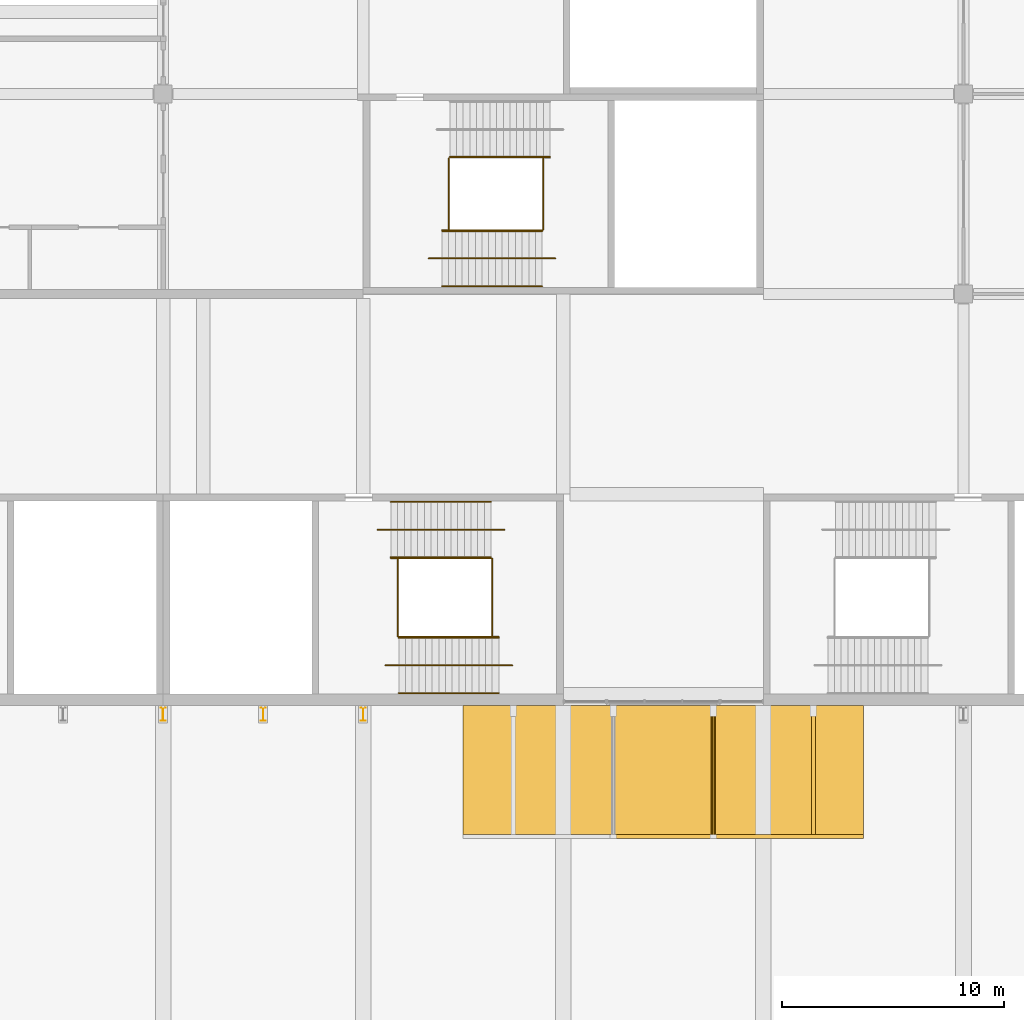
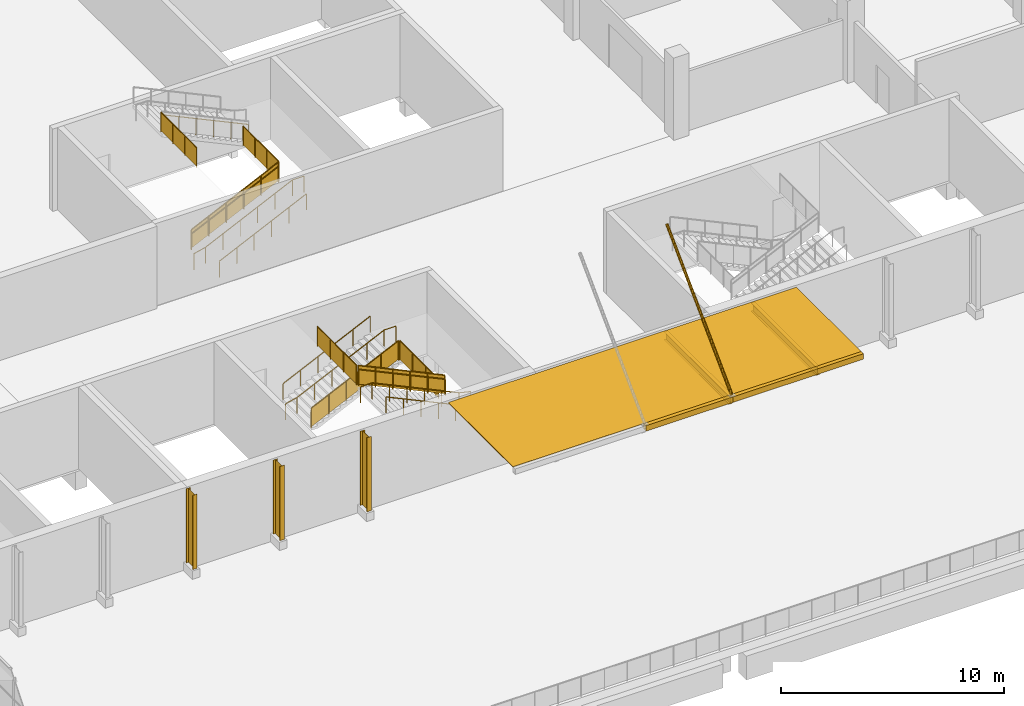
# One storey, part 151 of 168: 17 railings, 9 shading devices.
"""IFC4 building model written with IfcOpenShell, lengths in metres."""

from ifc_helpers import new_model, si_unit, direction, frame, origin, origin_2d, place, context, subcontext, project, spatial, polyline, rectangle, hollow_rectangle, circle, hollow_circle, i_section, outline, extrude, material, material_profile, profile_set, type_object, element, save


model = new_model("IFC4")

# Units and contexts
model_context = context("Model", 3, precision=1e-05, world=origin(), true_north=direction((0.0, 1.0)))
body_context = subcontext(model_context, "Body", "Model", "MODEL_VIEW")
ifc_project = project(units=[si_unit("LENGTHUNIT", "METRE"), si_unit("AREAUNIT", "SQUARE_METRE"), si_unit("VOLUMEUNIT", "CUBIC_METRE"), si_unit("PLANEANGLEUNIT", "RADIAN"), si_unit("MASSUNIT", "GRAM", prefix="KILO")], contexts=[model_context])

# Site, building, storey
site_placement = place(None, origin())
site = spatial("IfcSite", under=ifc_project, at=site_placement, CompositionType="ELEMENT")
building_placement = place(site_placement, origin())
building = spatial("IfcBuilding", under=site, at=building_placement, Name="Silverbay Arena", CompositionType="ELEMENT")
storey_placement = place(building_placement, frame((0.0, 0.0, 7.0)))
storey = spatial("IfcBuildingStorey", under=building, at=storey_placement, Name="L01", CompositionType="ELEMENT", Elevation=7.0)

# Shading devices
ifc_material_1 = material(Name="Steel S355", Category="steel")
shading_device_type_1 = type_object("IfcShadingDeviceType", Name="Entrance marquee 6000 x 18000", PredefinedType="AWNING", material=ifc_material_1)
shading_device_1_placement = place(storey_placement, frame((184.5, 14.60009765625, 4.353271484375), z_axis=(0.0, 0.0, 1.0), x_axis=(1.0, 0.0, 0.0)))
element("IfcShadingDevice", 1, at=shading_device_1_placement, inside=storey, type_object=shading_device_type_1, Name="South entrance marquee L01 bay 18", PredefinedType="AWNING", context=body_context, shape_type="SweptSolid", body=[
    extrude(rectangle(XDim=18.0, YDim=5.800048828125, at=origin_2d()), origin(), (0.0, 0.0, 1.0), 0.0400390625),
])
ifc_material_2 = material(Name="Steel S355", Category="steel")
ifc_material_profile_1 = material_profile(ifc_material_2, i_section(OverallWidth=0.18994140625, OverallDepth=0.453369140625, WebThickness=0.008544921875, FlangeThickness=0.0126953125, at=origin_2d()), Name="UB 457x191x67")
ifc_profile_set_1 = profile_set([ifc_material_profile_1], Name="Steel S355")
shading_device_type_2 = type_object("IfcShadingDeviceType", Name="Marquee cantilever beam UB 457x191x67", PredefinedType="USERDEFINED", material=ifc_profile_set_1)
for number, where, z_axis, x_axis, name in (
    (2, (186.75, 17.5, 4.126708984375), (0.0, -1.0, 0.0), (1.0, 0.0, 0.0), "South marquee beam L01 bay 18.3"),
    (3, (191.25, 17.5, 4.126708984375), (0.0, -1.0, 0.0), (1.0, 0.0, 0.0), "South marquee beam L01 bay 18.4"),
):
    element("IfcShadingDevice", number, at=place(storey_placement, frame(where, z_axis=z_axis, x_axis=x_axis)), inside=storey, type_object=shading_device_type_2, Name=name, ObjectType="MARQUEE FRAME", PredefinedType="USERDEFINED", context=body_context, shape_type="SweptSolid", body=[
        extrude(i_section(OverallWidth=0.18994140625, OverallDepth=0.453369140625, WebThickness=0.008544921875, FlangeThickness=0.0126953125, at=origin_2d()), origin(), (0.0, 0.0, 1.0), 5.800048828125),
    ])
ifc_material_3 = material(Name="Steel S355", Category="steel")
ifc_material_profile_2 = material_profile(ifc_material_3, hollow_rectangle(XDim=0.199951171875, YDim=0.300048828125, WallThickness=0.008056640625, at=origin_2d()), Name="RHS 300x200x8")
ifc_profile_set_2 = profile_set([ifc_material_profile_2], Name="Steel S355")
shading_device_type_3 = type_object("IfcShadingDeviceType", Name="Marquee edge beam RHS 300x200x8", PredefinedType="USERDEFINED", material=ifc_profile_set_2)
shading_device_2_placement = place(storey_placement, frame((182.25, 11.60009765625, 4.243408203125), z_axis=(1.0, 0.0, 0.0), x_axis=(0.0, 1.0, 0.0)))
element("IfcShadingDevice", 4, at=shading_device_2_placement, inside=storey, type_object=shading_device_type_3, Name="South marquee edge beam L01 bay 18.2", ObjectType="MARQUEE FRAME", PredefinedType="USERDEFINED", context=body_context, shape_type="SweptSolid", body=[
    extrude(hollow_rectangle(XDim=0.199951171875, YDim=0.300048828125, WallThickness=0.008056640625, at=origin_2d()), origin(), (0.0, 0.0, 1.0), 4.5),
])
shading_device_3_placement = place(storey_placement, frame((186.75, 11.60009765625, 4.243408203125), z_axis=(1.0, 0.0, 0.0), x_axis=(0.0, 1.0, 0.0)))
element("IfcShadingDevice", 5, at=shading_device_3_placement, inside=storey, type_object=shading_device_type_3, Name="South marquee edge beam L01 bay 18.3", ObjectType="MARQUEE FRAME", PredefinedType="USERDEFINED", context=body_context, shape_type="SweptSolid", body=[
    extrude(hollow_rectangle(XDim=0.199951171875, YDim=0.300048828125, WallThickness=0.008056640625, at=origin_2d()), origin(), (0.0, 0.0, 1.0), 6.75),
])
ifc_material_4 = material(Name="Steel S355", Category="steel")
ifc_material_profile_3 = material_profile(ifc_material_4, hollow_circle(Radius=0.06982421875, WallThickness=0.008056640625, at=origin_2d()), Name="CHS 139.7x8")
ifc_profile_set_3 = profile_set([ifc_material_profile_3], Name="Steel S355")
shading_device_type_4 = type_object("IfcShadingDeviceType", Name="Marquee tie CHS 139.7x8", PredefinedType="USERDEFINED", material=ifc_profile_set_3)
shading_device_4_placement = place(storey_placement, frame((186.75, 11.60009765625, 4.443359375), z_axis=(0.0, 0.707091949838, 0.707121612224), x_axis=(-1.0, 0.0, 0.0)))
element("IfcShadingDevice", 6, at=shading_device_4_placement, inside=storey, type_object=shading_device_type_4, Name="South marquee tie 2", ObjectType="MARQUEE FRAME", PredefinedType="USERDEFINED", context=body_context, shape_type="SweptSolid", body=[
    extrude(hollow_circle(Radius=0.06982421875, WallThickness=0.008056640625, at=origin_2d()), origin(), (0.0, 0.0, 1.0), 8.230712890625),
])

# Railings
ifc_material_5 = material(Name="Stainless steel", Category="steel")
railing_type_1 = type_object("IfcRailingType", Name="Stair guard 1100", PredefinedType="GUARDRAIL", material=ifc_material_5)
railing_1_placement = place(storey_placement, frame((172.24658203125, 24.125, 0.140625)))
element("IfcRailing", 7, at=railing_1_placement, inside=storey, type_object=railing_type_1, Name="Stair ST-S4 L01 to L02 flight 1 guard right", PredefinedType="GUARDRAIL", context=body_context, shape_type="SweptSolid", body=[
    extrude(circle(Radius=0.02392578125, at=origin_2d()), frame((0.0, 0.0, 1.076171875), z_axis=(0.905458935959, 0.0, 0.424433876231), x_axis=(0.0, 1.0, 0.0)), (0.0, 0.0, 1.0), 4.969970703125),
    extrude(outline(polyline([(-0.008056640625, 0.046142578125), (0.907958984375, 0.4755859375), (0.907958984375, 1.478515625), (-0.008056640625, 1.04931640625), (-0.008056640625, 0.046142578125)])), frame((0.0, 0.0029296875, 0.0), z_axis=(0.0, -1.0, 0.0), x_axis=(1.0, 0.0, 0.0)), (0.0, 0.0, 1.0), 0.006103515625),
    extrude(outline(polyline([(-0.008056640625, 0.468017578125), (0.907958984375, 0.8974609375), (0.907958984375, 1.900390625), (-0.008056640625, 1.47119140625), (-0.008056640625, 0.468017578125)])), frame((0.89990234375, 0.0029296875, 0.0), z_axis=(0.0, -1.0, 0.0), x_axis=(1.0, 0.0, 0.0)), (0.0, 0.0, 1.0), 0.006103515625),
    extrude(outline(polyline([(-0.008056640625, 0.889892578125), (0.907958984375, 1.3193359375), (0.907958984375, 2.322265625), (-0.008056640625, 1.89306640625), (-0.008056640625, 0.889892578125)])), frame((1.800048828125, 0.0029296875, 0.0), z_axis=(0.0, -1.0, 0.0), x_axis=(1.0, 0.0, 0.0)), (0.0, 0.0, 1.0), 0.006103515625),
    extrude(outline(polyline([(-0.008056640625, 1.311767578125), (0.907958984375, 1.7412109375), (0.907958984375, 2.744140625), (-0.008056640625, 2.31494140625), (-0.008056640625, 1.311767578125)])), frame((2.699951171875, 0.0029296875, 0.0), z_axis=(0.0, -1.0, 0.0), x_axis=(1.0, 0.0, 0.0)), (0.0, 0.0, 1.0), 0.006103515625),
    extrude(outline(polyline([(-0.008056640625, 1.733642578125), (0.907958984375, 2.1630859375), (0.907958984375, 3.166015625), (-0.008056640625, 2.73681640625), (-0.008056640625, 1.733642578125)])), frame((3.60009765625, 0.0029296875, 0.0), z_axis=(0.0, -1.0, 0.0), x_axis=(1.0, 0.0, 0.0)), (0.0, 0.0, 1.0), 0.006103515625),
    extrude(circle(Radius=0.02099609375, at=origin_2d()), origin(), (0.0, 0.0, 1.0), 1.052001953125),
    extrude(circle(Radius=0.02099609375, at=origin_2d()), frame((0.89990234375, 0.0, 0.421875)), (0.0, 0.0, 1.0), 1.052001953125),
    extrude(circle(Radius=0.02099609375, at=origin_2d()), frame((1.800048828125, 0.0, 0.84375)), (0.0, 0.0, 1.0), 1.052001953125),
    extrude(circle(Radius=0.02099609375, at=origin_2d()), frame((2.699951171875, 0.0, 1.265625)), (0.0, 0.0, 1.0), 1.052001953125),
    extrude(circle(Radius=0.02099609375, at=origin_2d()), frame((3.60009765625, 0.0, 1.6875)), (0.0, 0.0, 1.0), 1.052001953125),
    extrude(circle(Radius=0.02099609375, at=origin_2d()), frame((4.5, 0.0, 2.109375)), (0.0, 0.0, 1.0), 1.052001953125),
])
railing_2_placement = place(storey_placement, frame((177.10009765625, 20.574951171875, 2.390625)))
element("IfcRailing", 8, at=railing_2_placement, inside=storey, type_object=railing_type_1, Name="Stair ST-S4 L01 to L02 flight 2 guard left", PredefinedType="GUARDRAIL", context=body_context, shape_type="SweptSolid", body=[
    extrude(circle(Radius=0.02392578125, at=origin_2d()), frame((0.0, 0.0, 1.076171875), z_axis=(-0.905458935959, 0.0, 0.424433876231), x_axis=(0.0, -1.0, 0.0)), (0.0, 0.0, 1.0), 4.969970703125),
    extrude(outline(polyline([(-0.008056640625, 0.046142578125), (0.907958984375, 0.4755859375), (0.907958984375, 1.478515625), (-0.008056640625, 1.04931640625), (-0.008056640625, 0.046142578125)])), frame((0.0, -0.0029296875, 0.0), z_axis=(0.0, 1.0, 0.0), x_axis=(-1.0, 0.0, 0.0)), (0.0, 0.0, 1.0), 0.006103515625),
    extrude(outline(polyline([(-0.008056640625, 0.468017578125), (0.907958984375, 0.8974609375), (0.907958984375, 1.900390625), (-0.008056640625, 1.47119140625), (-0.008056640625, 0.468017578125)])), frame((-0.89990234375, -0.0029296875, 0.0), z_axis=(0.0, 1.0, 0.0), x_axis=(-1.0, 0.0, 0.0)), (0.0, 0.0, 1.0), 0.006103515625),
    extrude(outline(polyline([(-0.008056640625, 0.889892578125), (0.907958984375, 1.3193359375), (0.907958984375, 2.322265625), (-0.008056640625, 1.89306640625), (-0.008056640625, 0.889892578125)])), frame((-1.800048828125, -0.0029296875, 0.0), z_axis=(0.0, 1.0, 0.0), x_axis=(-1.0, 0.0, 0.0)), (0.0, 0.0, 1.0), 0.006103515625),
    extrude(outline(polyline([(-0.008056640625, 1.311767578125), (0.907958984375, 1.7412109375), (0.907958984375, 2.744140625), (-0.008056640625, 2.31494140625), (-0.008056640625, 1.311767578125)])), frame((-2.699951171875, -0.0029296875, 0.0), z_axis=(0.0, 1.0, 0.0), x_axis=(-1.0, 0.0, 0.0)), (0.0, 0.0, 1.0), 0.006103515625),
    extrude(outline(polyline([(-0.008056640625, 1.733642578125), (0.907958984375, 2.1630859375), (0.907958984375, 3.166015625), (-0.008056640625, 2.73681640625), (-0.008056640625, 1.733642578125)])), frame((-3.60009765625, -0.0029296875, 0.0), z_axis=(0.0, 1.0, 0.0), x_axis=(-1.0, 0.0, 0.0)), (0.0, 0.0, 1.0), 0.006103515625),
    extrude(circle(Radius=0.02099609375, at=origin_2d()), origin(), (0.0, 0.0, 1.0), 1.052001953125),
    extrude(circle(Radius=0.02099609375, at=origin_2d()), frame((-0.89990234375, 0.0, 0.421875)), (0.0, 0.0, 1.0), 1.052001953125),
    extrude(circle(Radius=0.02099609375, at=origin_2d()), frame((-1.800048828125, 0.0, 0.84375)), (0.0, 0.0, 1.0), 1.052001953125),
    extrude(circle(Radius=0.02099609375, at=origin_2d()), frame((-2.699951171875, 0.0, 1.265625)), (0.0, 0.0, 1.0), 1.052001953125),
    extrude(circle(Radius=0.02099609375, at=origin_2d()), frame((-3.60009765625, 0.0, 1.6875)), (0.0, 0.0, 1.0), 1.052001953125),
    extrude(circle(Radius=0.02099609375, at=origin_2d()), frame((-4.5, 0.0, 2.109375)), (0.0, 0.0, 1.0), 1.052001953125),
])
for number, where, name in (
    (9, (176.796630859375, 24.10009765625, 2.25), "Stair ST-S4 L01 to L02 landing 1 guard"),
    (10, (172.550048828125, 24.10009765625, 4.5), "Stair ST-S4 L01 to L02 landing 2 guard"),
):
    element("IfcRailing", number, at=place(storey_placement, frame(where)), inside=storey, type_object=railing_type_1, Name=name, PredefinedType="GUARDRAIL", context=body_context, shape_type="SweptSolid", body=[
        extrude(circle(Radius=0.02392578125, at=origin_2d()), frame((0.0, 0.0, 1.076171875), z_axis=(0.0, -1.0, 0.0), x_axis=(1.0, 0.0, 0.0)), (0.0, 0.0, 1.0), 3.5),
        extrude(outline(polyline([(-0.008056640625, 0.050048828125), (1.174560546875, 0.050048828125), (1.174560546875, 1.052978515625), (-0.008056640625, 1.052978515625), (-0.008056640625, 0.050048828125)])), frame((0.0029296875, 0.0, 0.0), z_axis=(-1.0, 0.0, 0.0), x_axis=(0.0, -1.0, 0.0)), (0.0, 0.0, 1.0), 0.006103515625),
        extrude(outline(polyline([(-0.008056640625, 0.050048828125), (1.174560546875, 0.050048828125), (1.174560546875, 1.052978515625), (-0.008056640625, 1.052978515625), (-0.008056640625, 0.050048828125)])), frame((0.0029296875, -1.166748046875, 0.0), z_axis=(-1.0, 0.0, 0.0), x_axis=(0.0, -1.0, 0.0)), (0.0, 0.0, 1.0), 0.006103515625),
        extrude(outline(polyline([(-0.008056640625, 0.050048828125), (1.174560546875, 0.050048828125), (1.174560546875, 1.052978515625), (-0.008056640625, 1.052978515625), (-0.008056640625, 0.050048828125)])), frame((0.0029296875, -2.333251953125, 0.0), z_axis=(-1.0, 0.0, 0.0), x_axis=(0.0, -1.0, 0.0)), (0.0, 0.0, 1.0), 0.006103515625),
        extrude(circle(Radius=0.02099609375, at=origin_2d()), origin(), (0.0, 0.0, 1.0), 1.052001953125),
        extrude(circle(Radius=0.02099609375, at=origin_2d()), frame((0.0, -1.166748046875, 0.0)), (0.0, 0.0, 1.0), 1.052001953125),
        extrude(circle(Radius=0.02099609375, at=origin_2d()), frame((0.0, -2.333251953125, 0.0)), (0.0, 0.0, 1.0), 1.052001953125),
        extrude(circle(Radius=0.02099609375, at=origin_2d()), frame((0.0, -3.5, 0.0)), (0.0, 0.0, 1.0), 1.052001953125),
    ])
railing_3_placement = place(storey_placement, frame((174.546630859375, 38.875, 0.140625)))
element("IfcRailing", 11, at=railing_3_placement, inside=storey, type_object=railing_type_1, Name="Stair ST-SE1 L01 to L02 flight 1 guard left", PredefinedType="GUARDRAIL", context=body_context, shape_type="SweptSolid", body=[
    extrude(circle(Radius=0.02392578125, at=origin_2d()), frame((0.0, 0.0, 1.076171875), z_axis=(0.905458935959, 0.0, 0.424433876231), x_axis=(0.0, 1.0, 0.0)), (0.0, 0.0, 1.0), 4.969970703125),
    extrude(outline(polyline([(-0.008056640625, 0.046142578125), (0.907958984375, 0.4755859375), (0.907958984375, 1.478515625), (-0.008056640625, 1.04931640625), (-0.008056640625, 0.046142578125)])), frame((0.0, 0.0029296875, 0.0), z_axis=(0.0, -1.0, 0.0), x_axis=(1.0, 0.0, 0.0)), (0.0, 0.0, 1.0), 0.006103515625),
    extrude(outline(polyline([(-0.008056640625, 0.468017578125), (0.907958984375, 0.8974609375), (0.907958984375, 1.900390625), (-0.008056640625, 1.47119140625), (-0.008056640625, 0.468017578125)])), frame((0.89990234375, 0.0029296875, 0.0), z_axis=(0.0, -1.0, 0.0), x_axis=(1.0, 0.0, 0.0)), (0.0, 0.0, 1.0), 0.006103515625),
    extrude(outline(polyline([(-0.008056640625, 0.889892578125), (0.907958984375, 1.3193359375), (0.907958984375, 2.322265625), (-0.008056640625, 1.89306640625), (-0.008056640625, 0.889892578125)])), frame((1.800048828125, 0.0029296875, 0.0), z_axis=(0.0, -1.0, 0.0), x_axis=(1.0, 0.0, 0.0)), (0.0, 0.0, 1.0), 0.006103515625),
    extrude(outline(polyline([(-0.008056640625, 1.311767578125), (0.907958984375, 1.7412109375), (0.907958984375, 2.744140625), (-0.008056640625, 2.31494140625), (-0.008056640625, 1.311767578125)])), frame((2.699951171875, 0.0029296875, 0.0), z_axis=(0.0, -1.0, 0.0), x_axis=(1.0, 0.0, 0.0)), (0.0, 0.0, 1.0), 0.006103515625),
    extrude(outline(polyline([(-0.008056640625, 1.733642578125), (0.907958984375, 2.1630859375), (0.907958984375, 3.166015625), (-0.008056640625, 2.73681640625), (-0.008056640625, 1.733642578125)])), frame((3.60009765625, 0.0029296875, 0.0), z_axis=(0.0, -1.0, 0.0), x_axis=(1.0, 0.0, 0.0)), (0.0, 0.0, 1.0), 0.006103515625),
    extrude(circle(Radius=0.02099609375, at=origin_2d()), origin(), (0.0, 0.0, 1.0), 1.052001953125),
    extrude(circle(Radius=0.02099609375, at=origin_2d()), frame((0.89990234375, 0.0, 0.421875)), (0.0, 0.0, 1.0), 1.052001953125),
    extrude(circle(Radius=0.02099609375, at=origin_2d()), frame((1.800048828125, 0.0, 0.84375)), (0.0, 0.0, 1.0), 1.052001953125),
    extrude(circle(Radius=0.02099609375, at=origin_2d()), frame((2.699951171875, 0.0, 1.265625)), (0.0, 0.0, 1.0), 1.052001953125),
    extrude(circle(Radius=0.02099609375, at=origin_2d()), frame((3.60009765625, 0.0, 1.6875)), (0.0, 0.0, 1.0), 1.052001953125),
    extrude(circle(Radius=0.02099609375, at=origin_2d()), frame((4.5, 0.0, 2.109375)), (0.0, 0.0, 1.0), 1.052001953125),
])
for number, where, name in (
    (12, (179.0966796875, 42.10009765625, 2.25), "Stair ST-SE1 L01 to L02 landing 1 guard"),
    (13, (174.85009765625, 42.10009765625, 4.5), "Stair ST-SE1 L01 to L02 landing 2 guard"),
):
    element("IfcRailing", number, at=place(storey_placement, frame(where)), inside=storey, type_object=railing_type_1, Name=name, PredefinedType="GUARDRAIL", context=body_context, shape_type="SweptSolid", body=[
        extrude(circle(Radius=0.02392578125, at=origin_2d()), frame((0.0, 0.0, 1.076171875), z_axis=(0.0, -1.0, 0.0), x_axis=(1.0, 0.0, 0.0)), (0.0, 0.0, 1.0), 3.2001953125),
        extrude(outline(polyline([(-0.008056640625, 0.050048828125), (1.07470703125, 0.050048828125), (1.07470703125, 1.052978515625), (-0.008056640625, 1.052978515625), (-0.008056640625, 0.050048828125)])), frame((0.0029296875, 0.0, 0.0), z_axis=(-1.0, 0.0, 0.0), x_axis=(0.0, -1.0, 0.0)), (0.0, 0.0, 1.0), 0.006103515625),
        extrude(outline(polyline([(-0.008056640625, 0.050048828125), (1.07470703125, 0.050048828125), (1.07470703125, 1.052978515625), (-0.008056640625, 1.052978515625), (-0.008056640625, 0.050048828125)])), frame((0.0029296875, -1.066650390625, 0.0), z_axis=(-1.0, 0.0, 0.0), x_axis=(0.0, -1.0, 0.0)), (0.0, 0.0, 1.0), 0.006103515625),
        extrude(outline(polyline([(-0.008056640625, 0.050048828125), (1.07470703125, 0.050048828125), (1.07470703125, 1.052978515625), (-0.008056640625, 1.052978515625), (-0.008056640625, 0.050048828125)])), frame((0.0029296875, -2.133544921875, 0.0), z_axis=(-1.0, 0.0, 0.0), x_axis=(0.0, -1.0, 0.0)), (0.0, 0.0, 1.0), 0.006103515625),
        extrude(circle(Radius=0.02099609375, at=origin_2d()), origin(), (0.0, 0.0, 1.0), 1.052001953125),
        extrude(circle(Radius=0.02099609375, at=origin_2d()), frame((0.0, -1.066650390625, 0.0)), (0.0, 0.0, 1.0), 1.052001953125),
        extrude(circle(Radius=0.02099609375, at=origin_2d()), frame((0.0, -2.133544921875, 0.0)), (0.0, 0.0, 1.0), 1.052001953125),
        extrude(circle(Radius=0.02099609375, at=origin_2d()), frame((0.0, -3.2001953125, 0.0)), (0.0, 0.0, 1.0), 1.052001953125),
    ])
ifc_material_6 = material(Name="Stainless steel", Category="steel")
railing_type_2 = type_object("IfcRailingType", Name="Stair handrail 900", PredefinedType="HANDRAIL", material=ifc_material_6)
for number, where, name in (
    (14, (172.24658203125, 26.64990234375, 0.140625), "Stair ST-S4 L01 to L02 flight 1 handrail left"),
    (15, (172.24658203125, 24.1640625, 0.140625), "Stair ST-S4 L01 to L02 flight 1 handrail right"),
):
    element("IfcRailing", number, at=place(storey_placement, frame(where)), inside=storey, type_object=railing_type_2, Name=name, PredefinedType="HANDRAIL", context=body_context, shape_type="SweptSolid", body=[
        extrude(circle(Radius=0.02392578125, at=origin_2d()), frame((0.0, 0.0, 0.8759765625), z_axis=(0.905458935959, 0.0, 0.424433876231), x_axis=(0.0, 1.0, 0.0)), (0.0, 0.0, 1.0), 4.969970703125),
        extrude(circle(Radius=0.02099609375, at=origin_2d()), origin(), (0.0, 0.0, 1.0), 0.851806640625),
        extrude(circle(Radius=0.02099609375, at=origin_2d()), frame((0.89990234375, 0.0, 0.421875)), (0.0, 0.0, 1.0), 0.851806640625),
        extrude(circle(Radius=0.02099609375, at=origin_2d()), frame((1.800048828125, 0.0, 0.84375)), (0.0, 0.0, 1.0), 0.851806640625),
        extrude(circle(Radius=0.02099609375, at=origin_2d()), frame((2.699951171875, 0.0, 1.265625)), (0.0, 0.0, 1.0), 0.851806640625),
        extrude(circle(Radius=0.02099609375, at=origin_2d()), frame((3.60009765625, 0.0, 1.6875)), (0.0, 0.0, 1.0), 0.851806640625),
        extrude(circle(Radius=0.02099609375, at=origin_2d()), frame((4.5, 0.0, 2.109375)), (0.0, 0.0, 1.0), 0.851806640625),
    ])
railing_4_placement = place(storey_placement, frame((171.646484375, 25.39990234375, 0.0)))
element("IfcRailing", 16, at=railing_4_placement, inside=storey, type_object=railing_type_2, Name="Stair ST-S4 L01 to L02 flight 1 central handrail", PredefinedType="HANDRAIL", context=body_context, shape_type="SweptSolid", body=[
    extrude(circle(Radius=0.02392578125, at=origin_2d()), frame((0.0, 0.0, 0.8759765625), z_axis=(0.973624560196, 0.0, 0.228156121511), x_axis=(0.0, 1.0, 0.0)), (0.0, 0.0, 1.0), 0.616455078125),
    extrude(circle(Radius=0.02392578125, at=origin_2d()), frame((0.60009765625, 0.0, 1.0166015625), z_axis=(0.905458935959, 0.0, 0.424433876231), x_axis=(0.0, 1.0, 0.0)), (0.0, 0.0, 1.0), 4.969970703125),
    extrude(circle(Radius=0.02392578125, at=origin_2d()), frame((5.10009765625, 0.0, 3.1259765625), z_axis=(1.0, 0.0, 0.0), x_axis=(0.0, 1.0, 0.0)), (0.0, 0.0, 1.0), 0.60009765625),
    extrude(circle(Radius=0.02099609375, at=origin_2d()), origin(), (0.0, 0.0, 1.0), 0.851806640625),
    extrude(circle(Radius=0.02099609375, at=origin_2d()), frame((0.60009765625, 0.0, 0.140625)), (0.0, 0.0, 1.0), 0.851806640625),
    extrude(circle(Radius=0.02099609375, at=origin_2d()), frame((1.5, 0.0, 0.5625)), (0.0, 0.0, 1.0), 0.851806640625),
    extrude(circle(Radius=0.02099609375, at=origin_2d()), frame((2.400146484375, 0.0, 0.984375)), (0.0, 0.0, 1.0), 0.851806640625),
    extrude(circle(Radius=0.02099609375, at=origin_2d()), frame((3.300048828125, 0.0, 1.40625)), (0.0, 0.0, 1.0), 0.851806640625),
    extrude(circle(Radius=0.02099609375, at=origin_2d()), frame((4.2001953125, 0.0, 1.828125)), (0.0, 0.0, 1.0), 0.851806640625),
    extrude(circle(Radius=0.02099609375, at=origin_2d()), frame((5.10009765625, 0.0, 2.25)), (0.0, 0.0, 1.0), 0.851806640625),
    extrude(circle(Radius=0.02099609375, at=origin_2d()), frame((5.7001953125, 0.0, 2.25)), (0.0, 0.0, 1.0), 0.851806640625),
])
for number, where, name in (
    (17, (177.10009765625, 20.535888671875, 2.390625), "Stair ST-S4 L01 to L02 flight 2 handrail left"),
    (18, (177.10009765625, 18.050048828125, 2.390625), "Stair ST-S4 L01 to L02 flight 2 handrail right"),
):
    element("IfcRailing", number, at=place(storey_placement, frame(where)), inside=storey, type_object=railing_type_2, Name=name, PredefinedType="HANDRAIL", context=body_context, shape_type="SweptSolid", body=[
        extrude(circle(Radius=0.02392578125, at=origin_2d()), frame((0.0, 0.0, 0.8759765625), z_axis=(-0.905458935959, 0.0, 0.424433876231), x_axis=(0.0, -1.0, 0.0)), (0.0, 0.0, 1.0), 4.969970703125),
        extrude(circle(Radius=0.02099609375, at=origin_2d()), origin(), (0.0, 0.0, 1.0), 0.851806640625),
        extrude(circle(Radius=0.02099609375, at=origin_2d()), frame((-0.89990234375, 0.0, 0.421875)), (0.0, 0.0, 1.0), 0.851806640625),
        extrude(circle(Radius=0.02099609375, at=origin_2d()), frame((-1.800048828125, 0.0, 0.84375)), (0.0, 0.0, 1.0), 0.851806640625),
        extrude(circle(Radius=0.02099609375, at=origin_2d()), frame((-2.699951171875, 0.0, 1.265625)), (0.0, 0.0, 1.0), 0.851806640625),
        extrude(circle(Radius=0.02099609375, at=origin_2d()), frame((-3.60009765625, 0.0, 1.6875)), (0.0, 0.0, 1.0), 0.851806640625),
        extrude(circle(Radius=0.02099609375, at=origin_2d()), frame((-4.5, 0.0, 2.109375)), (0.0, 0.0, 1.0), 0.851806640625),
    ])
railing_5_placement = place(storey_placement, frame((177.699951171875, 19.300048828125, 2.25)))
element("IfcRailing", 19, at=railing_5_placement, inside=storey, type_object=railing_type_2, Name="Stair ST-S4 L01 to L02 flight 2 central handrail", PredefinedType="HANDRAIL", context=body_context, shape_type="SweptSolid", body=[
    extrude(circle(Radius=0.02392578125, at=origin_2d()), frame((0.0, 0.0, 0.8759765625), z_axis=(-0.973603928963, 0.0, 0.228244144519), x_axis=(0.0, -1.0, 0.0)), (0.0, 0.0, 1.0), 0.6162109375),
    extrude(circle(Radius=0.02392578125, at=origin_2d()), frame((-0.599853515625, 0.0, 1.0166015625), z_axis=(-0.905458935959, 0.0, 0.424433876231), x_axis=(0.0, -1.0, 0.0)), (0.0, 0.0, 1.0), 4.969970703125),
    extrude(circle(Radius=0.02392578125, at=origin_2d()), frame((-5.099853515625, 0.0, 3.1259765625), z_axis=(-1.0, 0.0, 0.0), x_axis=(0.0, -1.0, 0.0)), (0.0, 0.0, 1.0), 0.60009765625),
    extrude(circle(Radius=0.02099609375, at=origin_2d()), origin(), (0.0, 0.0, 1.0), 0.851806640625),
    extrude(circle(Radius=0.02099609375, at=origin_2d()), frame((-0.599853515625, 0.0, 0.140625)), (0.0, 0.0, 1.0), 0.851806640625),
    extrude(circle(Radius=0.02099609375, at=origin_2d()), frame((-1.499755859375, 0.0, 0.5625)), (0.0, 0.0, 1.0), 0.851806640625),
    extrude(circle(Radius=0.02099609375, at=origin_2d()), frame((-2.39990234375, 0.0, 0.984375)), (0.0, 0.0, 1.0), 0.851806640625),
    extrude(circle(Radius=0.02099609375, at=origin_2d()), frame((-3.2998046875, 0.0, 1.40625)), (0.0, 0.0, 1.0), 0.851806640625),
    extrude(circle(Radius=0.02099609375, at=origin_2d()), frame((-4.199951171875, 0.0, 1.828125)), (0.0, 0.0, 1.0), 0.851806640625),
    extrude(circle(Radius=0.02099609375, at=origin_2d()), frame((-5.099853515625, 0.0, 2.25)), (0.0, 0.0, 1.0), 0.851806640625),
    extrude(circle(Radius=0.02099609375, at=origin_2d()), frame((-5.699951171875, 0.0, 2.25)), (0.0, 0.0, 1.0), 0.851806640625),
])
for number, where, name in (
    (20, (174.546630859375, 38.8359375, 0.140625), "Stair ST-SE1 L01 to L02 flight 1 handrail left"),
    (21, (174.546630859375, 36.35009765625, 0.140625), "Stair ST-SE1 L01 to L02 flight 1 handrail right"),
):
    element("IfcRailing", number, at=place(storey_placement, frame(where)), inside=storey, type_object=railing_type_2, Name=name, PredefinedType="HANDRAIL", context=body_context, shape_type="SweptSolid", body=[
        extrude(circle(Radius=0.02392578125, at=origin_2d()), frame((0.0, 0.0, 0.8759765625), z_axis=(0.905458935959, 0.0, 0.424433876231), x_axis=(0.0, 1.0, 0.0)), (0.0, 0.0, 1.0), 4.969970703125),
        extrude(circle(Radius=0.02099609375, at=origin_2d()), origin(), (0.0, 0.0, 1.0), 0.851806640625),
        extrude(circle(Radius=0.02099609375, at=origin_2d()), frame((0.89990234375, 0.0, 0.421875)), (0.0, 0.0, 1.0), 0.851806640625),
        extrude(circle(Radius=0.02099609375, at=origin_2d()), frame((1.800048828125, 0.0, 0.84375)), (0.0, 0.0, 1.0), 0.851806640625),
        extrude(circle(Radius=0.02099609375, at=origin_2d()), frame((2.699951171875, 0.0, 1.265625)), (0.0, 0.0, 1.0), 0.851806640625),
        extrude(circle(Radius=0.02099609375, at=origin_2d()), frame((3.60009765625, 0.0, 1.6875)), (0.0, 0.0, 1.0), 0.851806640625),
        extrude(circle(Radius=0.02099609375, at=origin_2d()), frame((4.5, 0.0, 2.109375)), (0.0, 0.0, 1.0), 0.851806640625),
    ])
railing_6_placement = place(storey_placement, frame((173.946533203125, 37.60009765625, 0.0)))
element("IfcRailing", 22, at=railing_6_placement, inside=storey, type_object=railing_type_2, Name="Stair ST-SE1 L01 to L02 flight 1 central handrail", PredefinedType="HANDRAIL", context=body_context, shape_type="SweptSolid", body=[
    extrude(circle(Radius=0.02392578125, at=origin_2d()), frame((0.0, 0.0, 0.8759765625), z_axis=(0.973624560196, 0.0, 0.228156121511), x_axis=(0.0, 1.0, 0.0)), (0.0, 0.0, 1.0), 0.616455078125),
    extrude(circle(Radius=0.02392578125, at=origin_2d()), frame((0.60009765625, 0.0, 1.0166015625), z_axis=(0.905458935959, 0.0, 0.424433876231), x_axis=(0.0, 1.0, 0.0)), (0.0, 0.0, 1.0), 4.969970703125),
    extrude(circle(Radius=0.02392578125, at=origin_2d()), frame((5.10009765625, 0.0, 3.1259765625), z_axis=(1.0, 0.0, 0.0), x_axis=(0.0, 1.0, 0.0)), (0.0, 0.0, 1.0), 0.599853515625),
    extrude(circle(Radius=0.02099609375, at=origin_2d()), origin(), (0.0, 0.0, 1.0), 0.851806640625),
    extrude(circle(Radius=0.02099609375, at=origin_2d()), frame((0.60009765625, 0.0, 0.140625)), (0.0, 0.0, 1.0), 0.851806640625),
    extrude(circle(Radius=0.02099609375, at=origin_2d()), frame((1.5, 0.0, 0.5625)), (0.0, 0.0, 1.0), 0.851806640625),
    extrude(circle(Radius=0.02099609375, at=origin_2d()), frame((2.400146484375, 0.0, 0.984375)), (0.0, 0.0, 1.0), 0.851806640625),
    extrude(circle(Radius=0.02099609375, at=origin_2d()), frame((3.300048828125, 0.0, 1.40625)), (0.0, 0.0, 1.0), 0.851806640625),
    extrude(circle(Radius=0.02099609375, at=origin_2d()), frame((4.2001953125, 0.0, 1.828125)), (0.0, 0.0, 1.0), 0.851806640625),
    extrude(circle(Radius=0.02099609375, at=origin_2d()), frame((5.10009765625, 0.0, 2.25)), (0.0, 0.0, 1.0), 0.851806640625),
    extrude(circle(Radius=0.02099609375, at=origin_2d()), frame((5.699951171875, 0.0, 2.25)), (0.0, 0.0, 1.0), 0.851806640625),
])
railing_7_placement = place(storey_placement, frame((179.39990234375, 42.1640625, 2.390625)))
element("IfcRailing", 23, at=railing_7_placement, inside=storey, type_object=railing_type_2, Name="Stair ST-SE1 L01 to L02 flight 2 handrail right", PredefinedType="HANDRAIL", context=body_context, shape_type="SweptSolid", body=[
    extrude(circle(Radius=0.02392578125, at=origin_2d()), frame((0.0, 0.0, 0.8759765625), z_axis=(-0.905458935959, 0.0, 0.424433876231), x_axis=(0.0, -1.0, 0.0)), (0.0, 0.0, 1.0), 4.969970703125),
    extrude(circle(Radius=0.02099609375, at=origin_2d()), origin(), (0.0, 0.0, 1.0), 0.851806640625),
    extrude(circle(Radius=0.02099609375, at=origin_2d()), frame((-0.89990234375, 0.0, 0.421875)), (0.0, 0.0, 1.0), 0.851806640625),
    extrude(circle(Radius=0.02099609375, at=origin_2d()), frame((-1.800048828125, 0.0, 0.84375)), (0.0, 0.0, 1.0), 0.851806640625),
    extrude(circle(Radius=0.02099609375, at=origin_2d()), frame((-2.699951171875, 0.0, 1.265625)), (0.0, 0.0, 1.0), 0.851806640625),
    extrude(circle(Radius=0.02099609375, at=origin_2d()), frame((-3.60009765625, 0.0, 1.6875)), (0.0, 0.0, 1.0), 0.851806640625),
    extrude(circle(Radius=0.02099609375, at=origin_2d()), frame((-4.5, 0.0, 2.109375)), (0.0, 0.0, 1.0), 0.851806640625),
])

# Shading devices
ifc_material_7 = material(Name="Steel S355", Category="steel")
ifc_material_profile_4 = material_profile(ifc_material_7, i_section(OverallWidth=0.2275390625, OverallDepth=0.6025390625, WebThickness=0.010498046875, FlangeThickness=0.014892578125, at=origin_2d()), Name="UB 610x229x101")
ifc_profile_set_4 = profile_set([ifc_material_profile_4], Name="Steel S355")
shading_device_type_5 = type_object("IfcShadingDeviceType", Name="Steel fin UB 610x229x101", PredefinedType="USERDEFINED", material=ifc_profile_set_4)
for number, where, z_axis, x_axis, name in (
    (24, (162.0, 17.0986328125, 0.449951171875), (0.0, 0.0, 1.0), (1.0, 0.0, 0.0), "Steel fin S L01 24"),
    (25, (166.5, 17.0986328125, 0.449951171875), (0.0, 0.0, 1.0), (1.0, 0.0, 0.0), "Steel fin S L01 25"),
    (26, (171.0, 17.0986328125, 0.449951171875), (0.0, 0.0, 1.0), (1.0, 0.0, 0.0), "Steel fin S L01 26"),
):
    element("IfcShadingDevice", number, at=place(storey_placement, frame(where, z_axis=z_axis, x_axis=x_axis)), inside=storey, type_object=shading_device_type_5, Name=name, ObjectType="FIN", PredefinedType="USERDEFINED", context=body_context, shape_type="SweptSolid", body=[
        extrude(i_section(OverallWidth=0.2275390625, OverallDepth=0.6025390625, WebThickness=0.010498046875, FlangeThickness=0.014892578125, at=origin_2d()), origin(), (0.0, 0.0, 1.0), 4.050048828125),
    ])

save(model, "model.ifc")
